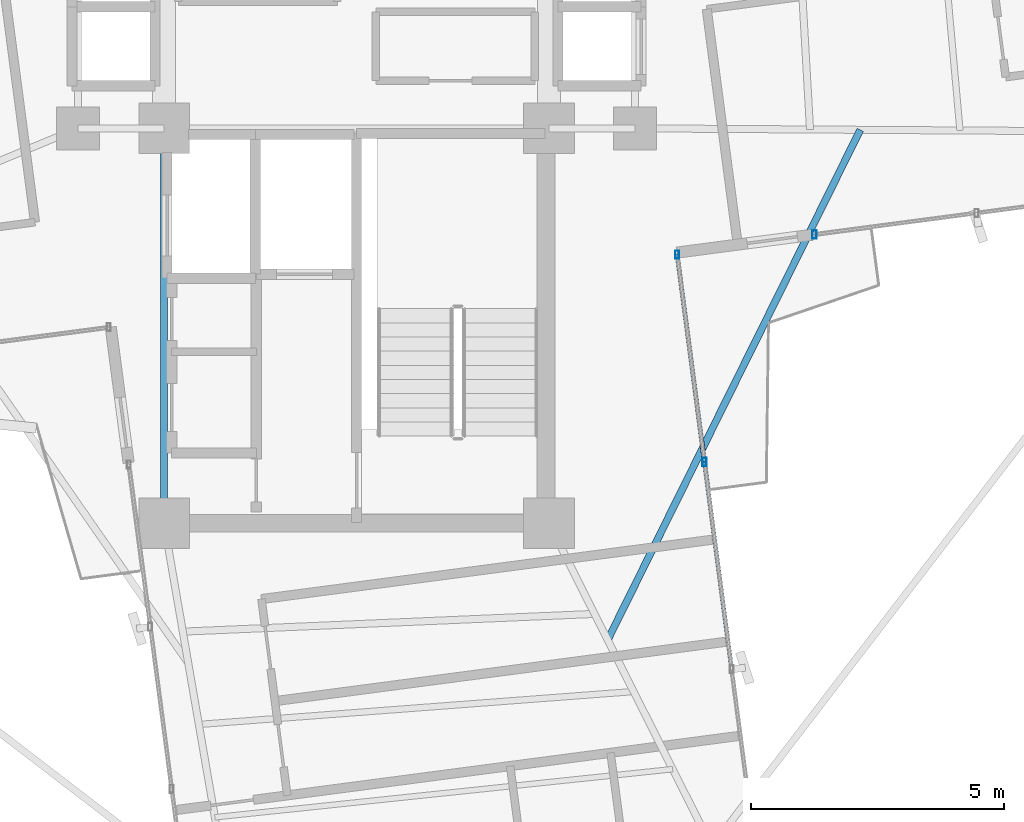
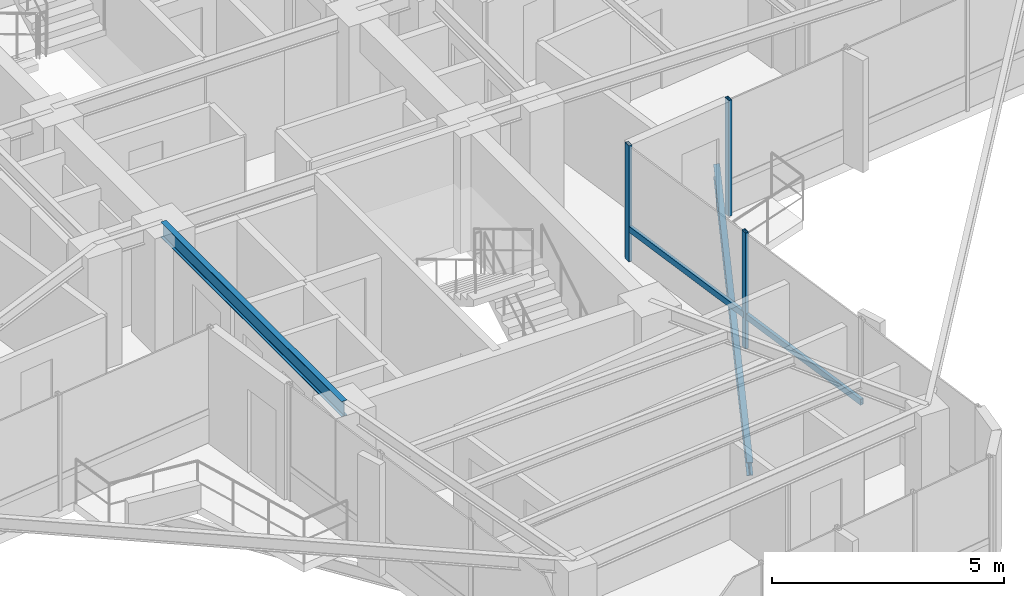
# One storey, part 5 of 23: 5 members, 2 beams, 2 elements without a shape of their own.
"""IFC4 building model written with IfcOpenShell, lengths in metres."""

from ifc_helpers import new_model, si_unit, direction, frame, origin, origin_2d, place, context, subcontext, project, spatial, hollow_rectangle, i_section, extrude, source, transform, mapped, material, material_profile, profile_set, type_object, element, aggregate, save


model = new_model("IFC4")

# Units and contexts
model_context = context("Model", 3, precision=1e-05, world=origin(), true_north=direction((0.0, 1.0)))
body_context = subcontext(model_context, "Body", "Model", "MODEL_VIEW")
ifc_project = project(units=[si_unit("LENGTHUNIT", "METRE"), si_unit("AREAUNIT", "SQUARE_METRE"), si_unit("VOLUMEUNIT", "CUBIC_METRE"), si_unit("PLANEANGLEUNIT", "RADIAN"), si_unit("MASSUNIT", "GRAM", prefix="KILO")], contexts=[model_context])

# Site, building, storey
site_placement = place(None, origin())
site = spatial("IfcSite", under=ifc_project, at=site_placement, CompositionType="ELEMENT")
building_placement = place(site_placement, origin())
building = spatial("IfcBuilding", under=site, at=building_placement, Name="Sahyath Konkavel Grand Hotel", CompositionType="ELEMENT")
storey_placement = place(building_placement, frame((0.0, 0.0, 226.60009765625)))
storey = spatial("IfcBuildingStorey", under=building, at=storey_placement, Name="L63", CompositionType="ELEMENT", Elevation=226.60009765625)

# Beam
ifc_material_1 = material(Name="Steel E350", Category="steel")
ifc_material_profile_1 = material_profile(ifc_material_1, i_section(OverallWidth=0.139892578125, OverallDepth=0.39990234375, WebThickness=0.0087890625, FlangeThickness=0.01611328125, FilletRadius=0.013916015625, at=origin_2d()), Name="ISMB 400")
ifc_profile_set_1 = profile_set([ifc_material_profile_1], Name="Steel E350")
beam_type_1 = type_object("IfcBeamType", Name="BM-ISMB400", PredefinedType="BEAM", material=ifc_profile_set_1)
shared_shape_1 = source(origin(), body_context, "Body", "SweptSolid", [
    extrude(i_section(OverallWidth=0.139892578125, OverallDepth=0.39990234375, WebThickness=0.0087890625, FlangeThickness=0.01611328125, FilletRadius=0.013916015625, at=origin_2d()), origin(), (0.0, 0.0, 1.0), 7.800048828125),
])
beam_1_placement = place(storey_placement, frame((-3.800048828125, -10.199951171875, 2.849853515625), z_axis=(0.0, 1.0, 0.0), x_axis=(-1.0, 0.0, 0.0)))
element("IfcBeam", 1, at=beam_1_placement, inside=storey, type_object=beam_type_1, Name="str:bm:L63:SC-W", PredefinedType="BEAM", context=body_context, shape_type="MappedRepresentation", body=[
    mapped(shared_shape_1, transform((0.0, 0.0, 0.0), scale=1.0)),
])

# Curtain wall, member
ifc_material_2 = material(Name="Anodised Bronze Aluminium & Low-E Glazing", Category="aluminium")
curtain_wall_type = type_object("IfcCurtainWallType", Name="CW-ZONE4", PredefinedType="NOTDEFINED", material=ifc_material_2)
curtain_wall_1_placement = place(storey_placement, origin())
curtain_wall_1 = element("IfcCurtainWall", 2, at=curtain_wall_1_placement, inside=storey, type_object=curtain_wall_type, Name="L63 Unitised Curtain Wall F0", PredefinedType="NOTDEFINED")
ifc_material_3 = material(Name="Anodised Bronze Aluminium", Category="aluminium")
ifc_material_profile_2 = material_profile(ifc_material_3, hollow_rectangle(XDim=0.080078125, YDim=0.159912109375, WallThickness=0.006103515625, at=origin_2d()), Name="RHS 160x80x6")
ifc_profile_set_2 = profile_set([ifc_material_profile_2], Name="Anodised Bronze Aluminium")
member_type_1 = type_object("IfcMemberType", Name="CW-MUL-160", PredefinedType="MULLION", material=ifc_profile_set_2)
shared_shape_2 = source(origin(), body_context, "Body", "SweptSolid", [
    extrude(hollow_rectangle(XDim=0.080078125, YDim=0.159912109375, WallThickness=0.006103515625, at=origin_2d()), origin(), (0.0, 0.0, 1.0), 3.0498046875),
])
member_1_placement = place(storey_placement, frame((9.042236328125, -4.496337890625, 0.0), z_axis=(0.0, 0.0, 1.0), x_axis=(1.0, 0.0, 0.0)))
member_1 = element("IfcMember", 3, at=member_1_placement, type_object=member_type_1, Name="L63 Curtain Wall Mullion F0-0", PredefinedType="MULLION", context=body_context, shape_type="MappedRepresentation", body=[
    mapped(shared_shape_2, transform((0.0, 0.0, 0.0), scale=1.0)),
])
aggregate(curtain_wall_1, [member_1])

# Curtain wall, members
curtain_wall_2_placement = place(storey_placement, origin())
curtain_wall_2 = element("IfcCurtainWall", 4, at=curtain_wall_2_placement, inside=storey, type_object=curtain_wall_type, Name="L63 Unitised Curtain Wall F31", PredefinedType="NOTDEFINED")
member_2_placement = place(storey_placement, frame((6.8701171875, -8.989013671875, 0.0), z_axis=(0.0, 0.0, 1.0), x_axis=(1.0, 0.0, 0.0)))
member_2 = element("IfcMember", 5, at=member_2_placement, type_object=member_type_1, Name="L63 Curtain Wall Mullion F31-2", PredefinedType="MULLION", context=body_context, shape_type="MappedRepresentation", body=[
    mapped(shared_shape_2, transform((0.0, 0.0, 0.0), scale=1.0)),
])
member_3_placement = place(storey_placement, frame((6.330810546875, -4.8935546875, 0.0), z_axis=(0.0, 0.0, 1.0), x_axis=(1.0, 0.0, 0.0)))
member_3 = element("IfcMember", 6, at=member_3_placement, type_object=member_type_1, Name="L63 Curtain Wall Mullion F31-3", PredefinedType="MULLION", context=body_context, shape_type="MappedRepresentation", body=[
    mapped(shared_shape_2, transform((0.0, 0.0, 0.0), scale=1.0)),
])
ifc_material_profile_3 = material_profile(ifc_material_3, hollow_rectangle(XDim=0.080078125, YDim=0.159912109375, WallThickness=0.006103515625, at=origin_2d()), Name="RHS 160x80x6")
ifc_profile_set_3 = profile_set([ifc_material_profile_3], Name="Anodised Bronze Aluminium")
member_type_2 = type_object("IfcMemberType", Name="CW-TRN-160", PredefinedType="USERDEFINED", material=ifc_profile_set_3)
shared_shape_3 = source(origin(), body_context, "Body", "SweptSolid", [
    extrude(hollow_rectangle(XDim=0.080078125, YDim=0.159912109375, WallThickness=0.006103515625, at=origin_2d()), origin(), (0.0, 0.0, 1.0), 4.130615234375),
])
member_4_placement = place(storey_placement, frame((7.4091796875, -13.084228515625, 0.849853515625), z_axis=(-0.130506496881, 0.991447454115, 0.0), x_axis=(-0.991447454115, -0.130506496881, 0.0)))
member_4 = element("IfcMember", 7, at=member_4_placement, type_object=member_type_2, Name="L63 Curtain Wall Transom F31-1-spandrel", ObjectType="TRANSOM", PredefinedType="USERDEFINED", context=body_context, shape_type="MappedRepresentation", body=[
    mapped(shared_shape_3, transform((0.0, 0.0, 0.0), scale=1.0)),
])
shared_shape_4 = source(origin(), body_context, "Body", "SweptSolid", [
    extrude(hollow_rectangle(XDim=0.080078125, YDim=0.159912109375, WallThickness=0.006103515625, at=origin_2d()), origin(), (0.0, 0.0, 1.0), 4.130859375),
])
member_5_placement = place(storey_placement, frame((6.8701171875, -8.989013671875, 0.849853515625), z_axis=(-0.130556945105, 0.991440812194, 0.0), x_axis=(-0.991440812194, -0.130556945105, 0.0)))
member_5 = element("IfcMember", 8, at=member_5_placement, type_object=member_type_2, Name="L63 Curtain Wall Transom F31-2-spandrel", ObjectType="TRANSOM", PredefinedType="USERDEFINED", context=body_context, shape_type="MappedRepresentation", body=[
    mapped(shared_shape_4, transform((0.0, 0.0, 0.0), scale=1.0)),
])
aggregate(curtain_wall_2, [member_2, member_3, member_4, member_5])

# Beam
ifc_material_profile_4 = material_profile(ifc_material_1, i_section(OverallWidth=0.139892578125, OverallDepth=0.35009765625, WebThickness=0.008056640625, FlangeThickness=0.01416015625, FilletRadius=0.013916015625, at=origin_2d()), Name="ISMB 350")
ifc_profile_set_4 = profile_set([ifc_material_profile_4], Name="Steel E350")
beam_type_2 = type_object("IfcBeamType", Name="BM-BALC-CANT", PredefinedType="BEAM", material=ifc_profile_set_4)
shared_shape_5 = source(origin(), body_context, "Body", "SweptSolid", [
    extrude(i_section(OverallWidth=0.139892578125, OverallDepth=0.35009765625, WebThickness=0.008056640625, FlangeThickness=0.01416015625, FilletRadius=0.013916015625, at=origin_2d()), origin(), (0.0, 0.0, 1.0), 11.24072265625),
])
beam_2_placement = place(storey_placement, frame((4.958740234375, -12.503662109375, -0.4150390625), z_axis=(0.443682895489, 0.89618384735, 0.0), x_axis=(-0.89618384735, 0.443682895489, 0.0)))
element("IfcBeam", 9, at=beam_2_placement, inside=storey, type_object=beam_type_2, Name="L63 Balcony Cantilever Support Beam SE", PredefinedType="BEAM", context=body_context, shape_type="MappedRepresentation", body=[
    mapped(shared_shape_5, transform((0.0, 0.0, 0.0), scale=1.0)),
])

save(model, "model.ifc")
